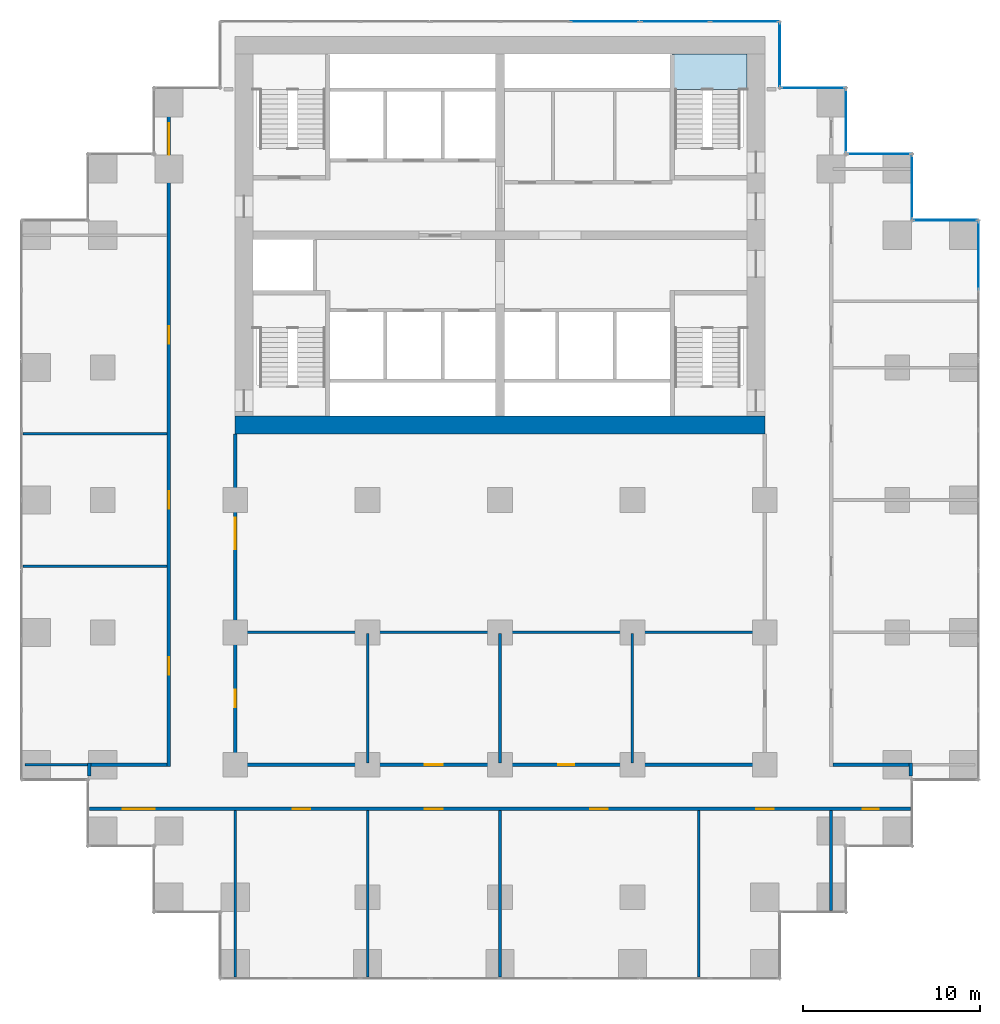
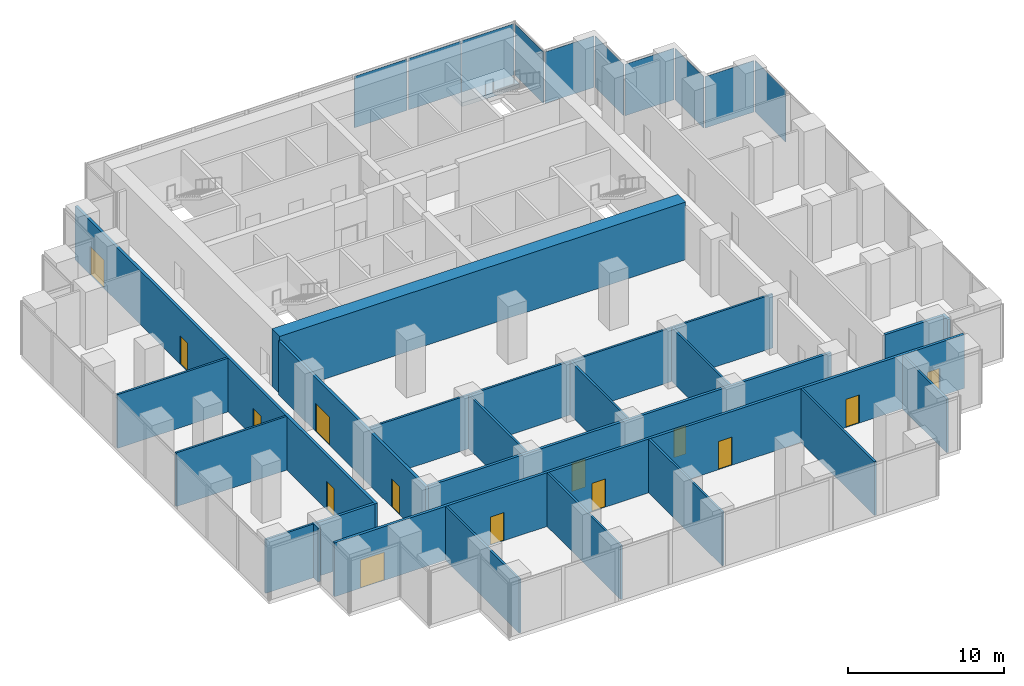
# One storey, part 7 of 10: 21 walls, 14 doors, 10 plates, 1 slab, 14 openings, 10 elements without a shape of their own.
"""IFC4 building model written with IfcOpenShell, lengths in metres."""

from ifc_helpers import new_model, si_unit, direction, frame, frame_2d, origin, origin_2d, place, context, subcontext, project, spatial, polyline, rectangle, outline, extrude, material, layer, layer_set, type_object, element, fill, aggregate, save


model = new_model("IFC4")

# Units and contexts
model_context = context("Model", 3, precision=1e-05, world=origin(), true_north=direction((0.0, 1.0)))
body_context = subcontext(model_context, "Body", "Model", "MODEL_VIEW")
ifc_project = project(units=[si_unit("LENGTHUNIT", "METRE"), si_unit("AREAUNIT", "SQUARE_METRE"), si_unit("VOLUMEUNIT", "CUBIC_METRE"), si_unit("PLANEANGLEUNIT", "RADIAN"), si_unit("MASSUNIT", "GRAM", prefix="KILO")], contexts=[model_context])

# Site, building, storey
site_placement = place(None, origin())
site = spatial("IfcSite", under=ifc_project, at=site_placement, CompositionType="ELEMENT")
building_placement = place(site_placement, origin())
building = spatial("IfcBuilding", under=site, at=building_placement, Name="Pilkhan Gate Tower", CompositionType="ELEMENT")
storey_placement = place(building_placement, frame((0.0, 0.0, 35.0)))
storey = spatial("IfcBuildingStorey", under=building, at=storey_placement, Name="L05", CompositionType="ELEMENT", Elevation=35.0)

# Curtain wall, plate
ifc_material_1 = material(Name="Pale anodised aluminium, clear low-iron double glazing", Category="aluminium")
curtain_wall_type = type_object("IfcCurtainWallType", Name="Hotel unitised curtain wall CW-H", PredefinedType="USERDEFINED", material=ifc_material_1)
curtain_wall_1_placement = place(storey_placement, origin())
curtain_wall_1 = element("IfcCurtainWall", 1, at=curtain_wall_1_placement, inside=storey, type_object=curtain_wall_type, Name="Hotel unitised curtain wall CW-H L05 E", ObjectType="UNITISED CURTAIN WALL", PredefinedType="USERDEFINED")
ifc_material_2 = material(Name="Clear low-iron double glazing", Category="glass")
ifc_layer_1 = layer(ifc_material_2, 0.035888671875)
ifc_layer_set_1 = layer_set([ifc_layer_1], Name="Glass panel CW-H 36")
plate_type = type_object("IfcPlateType", Name="Glass panel CW-H 36", PredefinedType="CURTAIN_PANEL", material=ifc_layer_set_1)
plate_1_placement = place(storey_placement, frame((102.094970703125, 81.34814453125, 0.0), z_axis=(0.0, 0.0, 1.0), x_axis=(0.0, 1.0, 0.0)))
plate_1 = element("IfcPlate", 2, at=plate_1_placement, type_object=plate_type, Name="CW-H panel 2", PredefinedType="CURTAIN_PANEL", context=body_context, shape_type="SweptSolid", body=[
    extrude(rectangle(XDim=3.86376953125, YDim=0.035888671875, at=origin_2d()), origin(), (0.0, 0.0, 1.0), 4.02001953125),
])
aggregate(curtain_wall_1, [plate_1])

curtain_wall_2_placement = place(storey_placement, origin())
curtain_wall_2 = element("IfcCurtainWall", 3, at=curtain_wall_2_placement, inside=storey, type_object=curtain_wall_type, Name="Hotel unitised curtain wall CW-H L05 N", ObjectType="UNITISED CURTAIN WALL", PredefinedType="USERDEFINED")
plate_2_placement = place(storey_placement, frame((100.219970703125, 83.344970703125, 0.0), z_axis=(0.0, 0.0, 1.0), x_axis=(1.0, 0.0, 0.0)))
plate_2 = element("IfcPlate", 4, at=plate_2_placement, type_object=plate_type, Name="CW-H panel 1", PredefinedType="CURTAIN_PANEL", context=body_context, shape_type="SweptSolid", body=[
    extrude(rectangle(XDim=3.6201171875, YDim=0.035888671875, at=origin_2d()), origin(), (0.0, 0.0, 1.0), 4.02001953125),
])
aggregate(curtain_wall_2, [plate_2])

curtain_wall_3_placement = place(storey_placement, origin())
curtain_wall_3 = element("IfcCurtainWall", 5, at=curtain_wall_3_placement, inside=storey, type_object=curtain_wall_type, Name="Hotel unitised curtain wall CW-H L05 E", ObjectType="UNITISED CURTAIN WALL", PredefinedType="USERDEFINED")
plate_3_placement = place(storey_placement, frame((98.344970703125, 85.219970703125, 0.0), z_axis=(0.0, 0.0, 1.0), x_axis=(0.0, 1.0, 0.0)))
plate_3 = element("IfcPlate", 6, at=plate_3_placement, type_object=plate_type, Name="CW-H panel 1", PredefinedType="CURTAIN_PANEL", context=body_context, shape_type="SweptSolid", body=[
    extrude(rectangle(XDim=3.6201171875, YDim=0.035888671875, at=origin_2d()), origin(), (0.0, 0.0, 1.0), 4.02001953125),
])
aggregate(curtain_wall_3, [plate_3])

curtain_wall_4_placement = place(storey_placement, origin())
curtain_wall_4 = element("IfcCurtainWall", 7, at=curtain_wall_4_placement, inside=storey, type_object=curtain_wall_type, Name="Hotel unitised curtain wall CW-H L05 N", ObjectType="UNITISED CURTAIN WALL", PredefinedType="USERDEFINED")
plate_4_placement = place(storey_placement, frame((96.469970703125, 87.094970703125, 0.0), z_axis=(0.0, 0.0, 1.0), x_axis=(1.0, 0.0, 0.0)))
plate_4 = element("IfcPlate", 8, at=plate_4_placement, type_object=plate_type, Name="CW-H panel 1", PredefinedType="CURTAIN_PANEL", context=body_context, shape_type="SweptSolid", body=[
    extrude(rectangle(XDim=3.6201171875, YDim=0.035888671875, at=origin_2d()), origin(), (0.0, 0.0, 1.0), 4.02001953125),
])
aggregate(curtain_wall_4, [plate_4])

curtain_wall_5_placement = place(storey_placement, origin())
curtain_wall_5 = element("IfcCurtainWall", 9, at=curtain_wall_5_placement, inside=storey, type_object=curtain_wall_type, Name="Hotel unitised curtain wall CW-H L05 E", ObjectType="UNITISED CURTAIN WALL", PredefinedType="USERDEFINED")
plate_5_placement = place(storey_placement, frame((94.594970703125, 88.969970703125, 0.0), z_axis=(0.0, 0.0, 1.0), x_axis=(0.0, 1.0, 0.0)))
plate_5 = element("IfcPlate", 10, at=plate_5_placement, type_object=plate_type, Name="CW-H panel 1", PredefinedType="CURTAIN_PANEL", context=body_context, shape_type="SweptSolid", body=[
    extrude(rectangle(XDim=3.6201171875, YDim=0.035888671875, at=origin_2d()), origin(), (0.0, 0.0, 1.0), 4.02001953125),
])
aggregate(curtain_wall_5, [plate_5])

curtain_wall_6_placement = place(storey_placement, origin())
curtain_wall_6 = element("IfcCurtainWall", 11, at=curtain_wall_6_placement, inside=storey, type_object=curtain_wall_type, Name="Hotel unitised curtain wall CW-H L05 N", ObjectType="UNITISED CURTAIN WALL", PredefinedType="USERDEFINED")
plate_6_placement = place(storey_placement, frame((92.719970703125, 90.844970703125, 0.0), z_axis=(0.0, 0.0, 1.0), x_axis=(1.0, 0.0, 0.0)))
plate_6 = element("IfcPlate", 12, at=plate_6_placement, type_object=plate_type, Name="CW-H panel 1", PredefinedType="CURTAIN_PANEL", context=body_context, shape_type="SweptSolid", body=[
    extrude(rectangle(XDim=3.6201171875, YDim=0.035888671875, at=origin_2d()), origin(), (0.0, 0.0, 1.0), 4.02001953125),
])
aggregate(curtain_wall_6, [plate_6])

curtain_wall_7_placement = place(storey_placement, origin())
curtain_wall_7 = element("IfcCurtainWall", 13, at=curtain_wall_7_placement, inside=storey, type_object=curtain_wall_type, Name="Hotel unitised curtain wall CW-H L05 E", ObjectType="UNITISED CURTAIN WALL", PredefinedType="USERDEFINED")
plate_7_placement = place(storey_placement, frame((90.844970703125, 92.719970703125, 0.0), z_axis=(0.0, 0.0, 1.0), x_axis=(0.0, 1.0, 0.0)))
plate_7 = element("IfcPlate", 14, at=plate_7_placement, type_object=plate_type, Name="CW-H panel 1", PredefinedType="CURTAIN_PANEL", context=body_context, shape_type="SweptSolid", body=[
    extrude(rectangle(XDim=3.6201171875, YDim=0.035888671875, at=origin_2d()), origin(), (0.0, 0.0, 1.0), 4.02001953125),
])
aggregate(curtain_wall_7, [plate_7])

curtain_wall_8_placement = place(storey_placement, origin())
curtain_wall_8 = element("IfcCurtainWall", 15, at=curtain_wall_8_placement, inside=storey, type_object=curtain_wall_type, Name="Hotel unitised curtain wall CW-H L05 N", ObjectType="UNITISED CURTAIN WALL", PredefinedType="USERDEFINED")
plate_8_placement = place(storey_placement, frame((80.925537109375, 94.594970703125, 0.0), z_axis=(0.0, 0.0, 1.0), x_axis=(1.0, 0.0, 0.0)))
plate_8 = element("IfcPlate", 16, at=plate_8_placement, type_object=plate_type, Name="CW-H panel 3", PredefinedType="CURTAIN_PANEL", context=body_context, shape_type="SweptSolid", body=[
    extrude(rectangle(XDim=3.86376953125, YDim=0.035888671875, at=origin_2d()), origin(), (0.0, 0.0, 1.0), 4.02001953125),
])
aggregate(curtain_wall_8, [plate_8])

# Curtain wall, plates
curtain_wall_9_placement = place(storey_placement, origin())
curtain_wall_9 = element("IfcCurtainWall", 17, at=curtain_wall_9_placement, inside=storey, type_object=curtain_wall_type, Name="Hotel unitised curtain wall CW-H L05 N", ObjectType="UNITISED CURTAIN WALL", PredefinedType="USERDEFINED")
plate_9_placement = place(storey_placement, frame((84.91943359375, 94.594970703125, 0.0), z_axis=(0.0, 0.0, 1.0), x_axis=(1.0, 0.0, 0.0)))
plate_9 = element("IfcPlate", 18, at=plate_9_placement, type_object=plate_type, Name="CW-H panel 1", PredefinedType="CURTAIN_PANEL", context=body_context, shape_type="SweptSolid", body=[
    extrude(rectangle(XDim=3.86376953125, YDim=0.035888671875, at=origin_2d()), origin(), (0.0, 0.0, 1.0), 4.02001953125),
])
plate_10_placement = place(storey_placement, frame((88.84814453125, 94.594970703125, 0.0), z_axis=(0.0, 0.0, 1.0), x_axis=(1.0, 0.0, 0.0)))
plate_10 = element("IfcPlate", 19, at=plate_10_placement, type_object=plate_type, Name="CW-H panel 2", PredefinedType="CURTAIN_PANEL", context=body_context, shape_type="SweptSolid", body=[
    extrude(rectangle(XDim=3.86376953125, YDim=0.035888671875, at=origin_2d()), origin(), (0.0, 0.0, 1.0), 4.02001953125),
])
aggregate(curtain_wall_9, [plate_9, plate_10])

# Stair, slab
ifc_material_3 = material(Name="Concrete C40/50 precast", Category="concrete")
stair_type = type_object("IfcStairType", Name="Stair ST4 173x280", PredefinedType="HALF_TURN_STAIR", material=ifc_material_3)
stair_placement = place(storey_placement, origin())
stair = element("IfcStair", 20, at=stair_placement, inside=storey, type_object=stair_type, Name="Stair ST4 L05", PredefinedType="HALF_TURN_STAIR")
ifc_material_4 = material(Name="Concrete C40/50", Category="concrete")
ifc_layer_2 = layer(ifc_material_4, 0.199951171875)
ifc_layer_set_2 = layer_set([ifc_layer_2], Name="Stair landing SL200")
slab_type = type_object("IfcSlabType", Name="Stair landing SL200", PredefinedType="LANDING", material=ifc_layer_set_2)
slab_placement = place(storey_placement, frame((0.0, 0.0, 1.949951171875)))
slab = element("IfcSlab", 21, at=slab_placement, type_object=slab_type, Name="ST4 landing 1", PredefinedType="LANDING", context=body_context, shape_type="SweptSolid", body=[
    extrude(outline(polyline([(89.0, 90.760009765625), (89.0, 92.75), (84.75, 92.75), (84.75, 90.760009765625), (89.0, 90.760009765625)])), origin(), (0.0, 0.0, 1.0), 0.300048828125),
])
aggregate(stair, [slab])

# Wall
ifc_material_5 = material(Name="Concrete C70/85", Category="concrete")
ifc_layer_3 = layer(ifc_material_5, 1.0)
ifc_layer_set_3 = layer_set([ifc_layer_3], Name="Core wall CW1000 C70/85")
wall_type_1 = type_object("IfcWallType", Name="Core wall CW1000 C70/85", PredefinedType="SHEAR", material=ifc_layer_set_3)
wall_1_placement = place(storey_placement, frame((60.0, 71.75, 0.0), z_axis=(0.0, 0.0, 1.0), x_axis=(1.0, 0.0, 0.0)))
element("IfcWall", 22, at=wall_1_placement, inside=storey, type_object=wall_type_1, Name="Core wall S L05", PredefinedType="SHEAR", context=body_context, shape_type="SweptSolid", body=[
    extrude(rectangle(XDim=30.0, YDim=1.0, at=frame_2d((15.0, 0.0))), origin(), (0.0, 0.0, 1.0), 4.5),
])

# Wall, openings, doors
ifc_material_6 = material(Name="Dense blockwork", Category="masonry")
ifc_layer_4 = layer(ifc_material_6, 0.199951171875)
ifc_layer_set_4 = layer_set([ifc_layer_4], Name="Corridor wall FW200")
wall_type_2 = type_object("IfcWallType", Name="Corridor wall FW200", PredefinedType="PARTITIONING", material=ifc_layer_set_4)
wall_2_placement = place(storey_placement, frame((51.735107421875, 50.0, 0.0), z_axis=(0.0, 0.0, 1.0), x_axis=(1.0, 0.0, 0.0)))
wall_2 = element("IfcWall", 23, at=wall_2_placement, inside=storey, type_object=wall_type_2, Name="Partition L05", PredefinedType="PARTITIONING", context=body_context, shape_type="SweptSolid", body=[
    extrude(rectangle(XDim=46.52978515625, YDim=0.199951171875, at=frame_2d((23.264892578125, 0.0))), origin(), (0.0, 0.0, 1.0), 4.199951171875),
])
opening_1_placement = place(wall_2_placement, frame((1.89990234375, 0.0, 0.0)))
opening_1 = element("IfcOpeningElement", 24, at=opening_1_placement, cuts=wall_2, Name="Opening L05-12", PredefinedType="OPENING", context=body_context, shape_type="SweptSolid", body=[
    extrude(rectangle(XDim=1.800048828125, YDim=2.199951171875, at=frame_2d((0.89990234375, 1.10009765625))), frame((0.0, 0.10986328125, 0.0), z_axis=(0.0, -1.0, 0.0), x_axis=(1.0, 0.0, 0.0)), (0.0, 0.0, 1.0), 0.219970703125),
])
opening_2_placement = place(wall_2_placement, frame((11.514892578125, 0.0, 0.0)))
opening_2 = element("IfcOpeningElement", 25, at=opening_2_placement, cuts=wall_2, Name="Opening L05-13", PredefinedType="OPENING", context=body_context, shape_type="SweptSolid", body=[
    extrude(rectangle(XDim=1.0, YDim=2.199951171875, at=frame_2d((0.5, 1.10009765625))), frame((0.0, 0.10986328125, 0.0), z_axis=(0.0, -1.0, 0.0), x_axis=(1.0, 0.0, 0.0)), (0.0, 0.0, 1.0), 0.219970703125),
])
opening_3_placement = place(wall_2_placement, frame((19.014892578125, 0.0, 0.0)))
opening_3 = element("IfcOpeningElement", 26, at=opening_3_placement, cuts=wall_2, Name="Opening L05-14", PredefinedType="OPENING", context=body_context, shape_type="SweptSolid", body=[
    extrude(rectangle(XDim=1.0, YDim=2.199951171875, at=frame_2d((0.5, 1.10009765625))), frame((0.0, 0.10986328125, 0.0), z_axis=(0.0, -1.0, 0.0), x_axis=(1.0, 0.0, 0.0)), (0.0, 0.0, 1.0), 0.219970703125),
])
opening_4_placement = place(wall_2_placement, frame((28.364990234375, 0.0, 0.0)))
opening_4 = element("IfcOpeningElement", 27, at=opening_4_placement, cuts=wall_2, Name="Opening L05-15", PredefinedType="OPENING", context=body_context, shape_type="SweptSolid", body=[
    extrude(rectangle(XDim=1.0, YDim=2.199951171875, at=frame_2d((0.5, 1.10009765625))), frame((0.0, 0.10986328125, 0.0), z_axis=(0.0, -1.0, 0.0), x_axis=(1.0, 0.0, 0.0)), (0.0, 0.0, 1.0), 0.219970703125),
])
opening_5_placement = place(wall_2_placement, frame((37.764892578125, 0.0, 0.0)))
opening_5 = element("IfcOpeningElement", 28, at=opening_5_placement, cuts=wall_2, Name="Opening L05-16", PredefinedType="OPENING", context=body_context, shape_type="SweptSolid", body=[
    extrude(rectangle(XDim=1.0, YDim=2.199951171875, at=frame_2d((0.5, 1.10009765625))), frame((0.0, 0.10986328125, 0.0), z_axis=(0.0, -1.0, 0.0), x_axis=(1.0, 0.0, 0.0)), (0.0, 0.0, 1.0), 0.219970703125),
])
opening_6_placement = place(wall_2_placement, frame((43.81494140625, 0.0, 0.0)))
opening_6 = element("IfcOpeningElement", 29, at=opening_6_placement, cuts=wall_2, Name="Opening L05-17", PredefinedType="OPENING", context=body_context, shape_type="SweptSolid", body=[
    extrude(rectangle(XDim=0.89990234375, YDim=2.199951171875, at=frame_2d((0.449951171875, 1.10009765625))), frame((0.0, 0.10986328125, 0.0), z_axis=(0.0, -1.0, 0.0), x_axis=(1.0, 0.0, 0.0)), (0.0, 0.0, 1.0), 0.219970703125),
])
ifc_material_7 = material(Name="Timber glazed double door, 30 minute fire resisting", Category="wood")
door_type_1 = type_object("IfcDoorType", Name="Double door D04 1800x2200", OperationType="DOUBLE_DOOR_SINGLE_SWING", PredefinedType="DOOR", material=ifc_material_7)
door_1_placement = place(opening_1_placement, origin())
door_1 = element("IfcDoor", 30, at=door_1_placement, inside=storey, type_object=door_type_1, Name="Double door", OperationType="DOUBLE_DOOR_SINGLE_SWING", OverallHeight=2.199951171875, OverallWidth=1.800048828125, PredefinedType="DOOR", context=body_context, shape_type="SweptSolid", body=[
    extrude(rectangle(XDim=1.800048828125, YDim=2.199951171875, at=frame_2d((0.89990234375, 1.10009765625))), frame((0.0, 0.02490234375, 0.0), z_axis=(0.0, -1.0, 0.0), x_axis=(1.0, 0.0, 0.0)), (0.0, 0.0, 1.0), 0.050048828125),
])
fill(opening_1, door_1)
ifc_material_8 = material(Name="Timber flush door, 30 minute fire resisting", Category="wood")
door_type_2 = type_object("IfcDoorType", Name="Room door D03 1000x2200", OperationType="SINGLE_SWING_LEFT", PredefinedType="DOOR", material=ifc_material_8)
door_2_placement = place(opening_2_placement, origin())
door_2 = element("IfcDoor", 31, at=door_2_placement, inside=storey, type_object=door_type_2, Name="Room door", OperationType="SINGLE_SWING_RIGHT", OverallHeight=2.199951171875, OverallWidth=1.0, PredefinedType="DOOR", context=body_context, shape_type="SweptSolid", body=[
    extrude(rectangle(XDim=1.0, YDim=2.199951171875, at=frame_2d((0.5, 1.10009765625))), frame((0.0, 0.02490234375, 0.0), z_axis=(0.0, -1.0, 0.0), x_axis=(1.0, 0.0, 0.0)), (0.0, 0.0, 1.0), 0.050048828125),
])
fill(opening_2, door_2)
door_3_placement = place(opening_3_placement, origin())
door_3 = element("IfcDoor", 32, at=door_3_placement, inside=storey, type_object=door_type_2, Name="Room door", OperationType="SINGLE_SWING_RIGHT", OverallHeight=2.199951171875, OverallWidth=1.0, PredefinedType="DOOR", context=body_context, shape_type="SweptSolid", body=[
    extrude(rectangle(XDim=1.0, YDim=2.199951171875, at=frame_2d((0.5, 1.10009765625))), frame((0.0, 0.02490234375, 0.0), z_axis=(0.0, -1.0, 0.0), x_axis=(1.0, 0.0, 0.0)), (0.0, 0.0, 1.0), 0.050048828125),
])
fill(opening_3, door_3)
door_4_placement = place(opening_4_placement, origin())
door_4 = element("IfcDoor", 33, at=door_4_placement, inside=storey, type_object=door_type_2, Name="Room door", OperationType="SINGLE_SWING_LEFT", OverallHeight=2.199951171875, OverallWidth=1.0, PredefinedType="DOOR", context=body_context, shape_type="SweptSolid", body=[
    extrude(rectangle(XDim=1.0, YDim=2.199951171875, at=frame_2d((0.5, 1.10009765625))), frame((0.0, 0.02490234375, 0.0), z_axis=(0.0, -1.0, 0.0), x_axis=(1.0, 0.0, 0.0)), (0.0, 0.0, 1.0), 0.050048828125),
])
fill(opening_4, door_4)
door_5_placement = place(opening_5_placement, origin())
door_5 = element("IfcDoor", 34, at=door_5_placement, inside=storey, type_object=door_type_2, Name="Room door", OperationType="SINGLE_SWING_RIGHT", OverallHeight=2.199951171875, OverallWidth=1.0, PredefinedType="DOOR", context=body_context, shape_type="SweptSolid", body=[
    extrude(rectangle(XDim=1.0, YDim=2.199951171875, at=frame_2d((0.5, 1.10009765625))), frame((0.0, 0.02490234375, 0.0), z_axis=(0.0, -1.0, 0.0), x_axis=(1.0, 0.0, 0.0)), (0.0, 0.0, 1.0), 0.050048828125),
])
fill(opening_5, door_5)
ifc_material_9 = material(Name="Timber flush door, 60 minute fire resisting, self-closing", Category="wood")
door_type_3 = type_object("IfcDoorType", Name="Store door D05 900x2200", OperationType="SINGLE_SWING_LEFT", PredefinedType="DOOR", material=ifc_material_9)
door_6_placement = place(opening_6_placement, origin())
door_6 = element("IfcDoor", 35, at=door_6_placement, inside=storey, type_object=door_type_3, Name="Store door", OperationType="SINGLE_SWING_RIGHT", OverallHeight=2.199951171875, OverallWidth=0.89990234375, PredefinedType="DOOR", context=body_context, shape_type="SweptSolid", body=[
    extrude(rectangle(XDim=0.89990234375, YDim=2.199951171875, at=frame_2d((0.449951171875, 1.10009765625))), frame((0.0, 0.02490234375, 0.0), z_axis=(0.0, -1.0, 0.0), x_axis=(1.0, 0.0, 0.0)), (0.0, 0.0, 1.0), 0.050048828125),
])
fill(opening_6, door_6)

# Wall
wall_3_placement = place(storey_placement, frame((51.8349609375, 52.5, 0.0), z_axis=(0.0, 0.0, 1.0), x_axis=(1.0, 0.0, 0.0)))
element("IfcWall", 36, at=wall_3_placement, inside=storey, type_object=wall_type_2, Name="Partition L05", PredefinedType="PARTITIONING", context=body_context, shape_type="SweptSolid", body=[
    extrude(rectangle(XDim=4.31494140625, YDim=0.199951171875, at=frame_2d((2.157470703125, 0.0))), origin(), (0.0, 0.0, 1.0), 4.199951171875),
])

# Wall, openings, doors
wall_4_placement = place(storey_placement, frame((60.10009765625, 52.5, 0.0), z_axis=(0.0, 0.0, 1.0), x_axis=(1.0, 0.0, 0.0)))
wall_4 = element("IfcWall", 37, at=wall_4_placement, inside=storey, type_object=wall_type_2, Name="Partition L05", PredefinedType="PARTITIONING", context=body_context, shape_type="SweptSolid", body=[
    extrude(rectangle(XDim=29.7998046875, YDim=0.199951171875, at=frame_2d((14.89990234375, 0.0))), origin(), (0.0, 0.0, 1.0), 4.199951171875),
])
opening_7_placement = place(wall_4_placement, frame((10.64990234375, 0.0, 0.0)))
opening_7 = element("IfcOpeningElement", 38, at=opening_7_placement, cuts=wall_4, Name="Opening L05-30", PredefinedType="OPENING", context=body_context, shape_type="SweptSolid", body=[
    extrude(rectangle(XDim=1.0, YDim=2.199951171875, at=frame_2d((0.5, 1.10009765625))), frame((0.0, 0.10986328125, 0.0), z_axis=(0.0, -1.0, 0.0), x_axis=(1.0, 0.0, 0.0)), (0.0, 0.0, 1.0), 0.219970703125),
])
opening_8_placement = place(wall_4_placement, frame((18.199951171875, 0.0, 0.0)))
opening_8 = element("IfcOpeningElement", 39, at=opening_8_placement, cuts=wall_4, Name="Opening L05-31", PredefinedType="OPENING", context=body_context, shape_type="SweptSolid", body=[
    extrude(rectangle(XDim=0.89990234375, YDim=2.199951171875, at=frame_2d((0.449951171875, 1.10009765625))), frame((0.0, 0.10986328125, 0.0), z_axis=(0.0, -1.0, 0.0), x_axis=(1.0, 0.0, 0.0)), (0.0, 0.0, 1.0), 0.219970703125),
])
door_7_placement = place(opening_7_placement, origin())
door_7 = element("IfcDoor", 40, at=door_7_placement, inside=storey, type_object=door_type_2, Name="Room door", OperationType="SINGLE_SWING_RIGHT", OverallHeight=2.199951171875, OverallWidth=1.0, PredefinedType="DOOR", context=body_context, shape_type="SweptSolid", body=[
    extrude(rectangle(XDim=1.0, YDim=2.199951171875, at=frame_2d((0.5, 1.10009765625))), frame((0.0, 0.02490234375, 0.0), z_axis=(0.0, -1.0, 0.0), x_axis=(1.0, 0.0, 0.0)), (0.0, 0.0, 1.0), 0.050048828125),
])
fill(opening_7, door_7)
door_type_4 = type_object("IfcDoorType", Name="Toilet door D06 900x2200", OperationType="SINGLE_SWING_LEFT", PredefinedType="DOOR", material=ifc_material_8)
door_8_placement = place(opening_8_placement, origin())
door_8 = element("IfcDoor", 41, at=door_8_placement, inside=storey, type_object=door_type_4, Name="Toilet door", OperationType="SINGLE_SWING_LEFT", OverallHeight=2.199951171875, OverallWidth=0.89990234375, PredefinedType="DOOR", context=body_context, shape_type="SweptSolid", body=[
    extrude(rectangle(XDim=0.89990234375, YDim=2.199951171875, at=frame_2d((0.449951171875, 1.10009765625))), frame((0.0, 0.02490234375, 0.0), z_axis=(0.0, -1.0, 0.0), x_axis=(1.0, 0.0, 0.0)), (0.0, 0.0, 1.0), 0.050048828125),
])
fill(opening_8, door_8)

# Walls
wall_5_placement = place(storey_placement, frame((93.85009765625, 52.5, 0.0), z_axis=(0.0, 0.0, 1.0), x_axis=(1.0, 0.0, 0.0)))
element("IfcWall", 42, at=wall_5_placement, inside=storey, type_object=wall_type_2, Name="Partition L05", PredefinedType="PARTITIONING", context=body_context, shape_type="SweptSolid", body=[
    extrude(rectangle(XDim=4.31494140625, YDim=0.199951171875, at=frame_2d((2.157470703125, 0.0))), origin(), (0.0, 0.0, 1.0), 4.199951171875),
])
wall_6_placement = place(storey_placement, frame((51.735107421875, 51.85498046875, 0.0), z_axis=(0.0, 0.0, 1.0), x_axis=(0.0, 1.0, 0.0)))
element("IfcWall", 43, at=wall_6_placement, inside=storey, type_object=wall_type_2, Name="Partition L05", PredefinedType="PARTITIONING", context=body_context, shape_type="SweptSolid", body=[
    extrude(rectangle(XDim=0.7451171875, YDim=0.199951171875, at=frame_2d((0.37255859375, 0.0))), origin(), (0.0, 0.0, 1.0), 4.199951171875),
])

# Wall, openings, doors
wall_7_placement = place(storey_placement, frame((56.25, 52.39990234375, 0.0), z_axis=(0.0, 0.0, 1.0), x_axis=(0.0, 1.0, 0.0)))
wall_7 = element("IfcWall", 44, at=wall_7_placement, inside=storey, type_object=wall_type_2, Name="Partition L05", PredefinedType="PARTITIONING", context=body_context, shape_type="SweptSolid", body=[
    extrude(rectangle(XDim=38.364990234375, YDim=0.199951171875, at=frame_2d((19.1826171875, 0.0))), origin(), (0.0, 0.0, 1.0), 4.199951171875),
])
opening_9_placement = place(wall_7_placement, frame((5.199951171875, 0.0, 0.0)))
opening_9 = element("IfcOpeningElement", 45, at=opening_9_placement, cuts=wall_7, Name="Opening L05-18", PredefinedType="OPENING", context=body_context, shape_type="SweptSolid", body=[
    extrude(rectangle(XDim=1.0, YDim=2.199951171875, at=frame_2d((0.5, 1.10009765625))), frame((0.0, 0.10986328125, 0.0), z_axis=(0.0, -1.0, 0.0), x_axis=(1.0, 0.0, 0.0)), (0.0, 0.0, 1.0), 0.219970703125),
])
opening_10_placement = place(wall_7_placement, frame((14.60009765625, 0.0, 0.0)))
opening_10 = element("IfcOpeningElement", 46, at=opening_10_placement, cuts=wall_7, Name="Opening L05-19", PredefinedType="OPENING", context=body_context, shape_type="SweptSolid", body=[
    extrude(rectangle(XDim=1.0, YDim=2.199951171875, at=frame_2d((0.5, 1.10009765625))), frame((0.0, 0.10986328125, 0.0), z_axis=(0.0, -1.0, 0.0), x_axis=(1.0, 0.0, 0.0)), (0.0, 0.0, 1.0), 0.219970703125),
])
opening_11_placement = place(wall_7_placement, frame((23.949951171875, 0.0, 0.0)))
opening_11 = element("IfcOpeningElement", 47, at=opening_11_placement, cuts=wall_7, Name="Opening L05-20", PredefinedType="OPENING", context=body_context, shape_type="SweptSolid", body=[
    extrude(rectangle(XDim=1.0, YDim=2.199951171875, at=frame_2d((0.5, 1.10009765625))), frame((0.0, 0.10986328125, 0.0), z_axis=(0.0, -1.0, 0.0), x_axis=(1.0, 0.0, 0.0)), (0.0, 0.0, 1.0), 0.219970703125),
])
opening_12_placement = place(wall_7_placement, frame((34.64990234375, 0.0, 0.0)))
opening_12 = element("IfcOpeningElement", 48, at=opening_12_placement, cuts=wall_7, Name="Opening L05-21", PredefinedType="OPENING", context=body_context, shape_type="SweptSolid", body=[
    extrude(rectangle(XDim=1.800048828125, YDim=2.199951171875, at=frame_2d((0.89990234375, 1.10009765625))), frame((0.0, 0.10986328125, 0.0), z_axis=(0.0, -1.0, 0.0), x_axis=(1.0, 0.0, 0.0)), (0.0, 0.0, 1.0), 0.219970703125),
])
door_9_placement = place(opening_12_placement, origin())
door_9 = element("IfcDoor", 49, at=door_9_placement, inside=storey, type_object=door_type_1, Name="Double door", OperationType="DOUBLE_DOOR_SINGLE_SWING", OverallHeight=2.199951171875, OverallWidth=1.800048828125, PredefinedType="DOOR", context=body_context, shape_type="SweptSolid", body=[
    extrude(rectangle(XDim=1.800048828125, YDim=2.199951171875, at=frame_2d((0.89990234375, 1.10009765625))), frame((0.0, 0.02490234375, 0.0), z_axis=(0.0, -1.0, 0.0), x_axis=(1.0, 0.0, 0.0)), (0.0, 0.0, 1.0), 0.050048828125),
])
fill(opening_12, door_9)
door_10_placement = place(opening_9_placement, origin())
door_10 = element("IfcDoor", 50, at=door_10_placement, inside=storey, type_object=door_type_2, Name="Room door", OperationType="SINGLE_SWING_RIGHT", OverallHeight=2.199951171875, OverallWidth=1.0, PredefinedType="DOOR", context=body_context, shape_type="SweptSolid", body=[
    extrude(rectangle(XDim=1.0, YDim=2.199951171875, at=frame_2d((0.5, 1.10009765625))), frame((0.0, 0.02490234375, 0.0), z_axis=(0.0, -1.0, 0.0), x_axis=(1.0, 0.0, 0.0)), (0.0, 0.0, 1.0), 0.050048828125),
])
fill(opening_9, door_10)
door_11_placement = place(opening_10_placement, origin())
door_11 = element("IfcDoor", 51, at=door_11_placement, inside=storey, type_object=door_type_2, Name="Room door", OperationType="SINGLE_SWING_LEFT", OverallHeight=2.199951171875, OverallWidth=1.0, PredefinedType="DOOR", context=body_context, shape_type="SweptSolid", body=[
    extrude(rectangle(XDim=1.0, YDim=2.199951171875, at=frame_2d((0.5, 1.10009765625))), frame((0.0, 0.02490234375, 0.0), z_axis=(0.0, -1.0, 0.0), x_axis=(1.0, 0.0, 0.0)), (0.0, 0.0, 1.0), 0.050048828125),
])
fill(opening_10, door_11)
door_12_placement = place(opening_11_placement, origin())
door_12 = element("IfcDoor", 52, at=door_12_placement, inside=storey, type_object=door_type_2, Name="Room door", OperationType="SINGLE_SWING_RIGHT", OverallHeight=2.199951171875, OverallWidth=1.0, PredefinedType="DOOR", context=body_context, shape_type="SweptSolid", body=[
    extrude(rectangle(XDim=1.0, YDim=2.199951171875, at=frame_2d((0.5, 1.10009765625))), frame((0.0, 0.02490234375, 0.0), z_axis=(0.0, -1.0, 0.0), x_axis=(1.0, 0.0, 0.0)), (0.0, 0.0, 1.0), 0.050048828125),
])
fill(opening_11, door_12)

wall_8_placement = place(storey_placement, frame((60.0, 52.39990234375, 0.0), z_axis=(0.0, 0.0, 1.0), x_axis=(0.0, 1.0, 0.0)))
wall_8 = element("IfcWall", 53, at=wall_8_placement, inside=storey, type_object=wall_type_2, Name="Partition L05", PredefinedType="PARTITIONING", context=body_context, shape_type="SweptSolid", body=[
    extrude(rectangle(XDim=18.840087890625, YDim=0.199951171875, at=frame_2d((9.419921875, 0.0))), origin(), (0.0, 0.0, 1.0), 4.199951171875),
])
opening_13_placement = place(wall_8_placement, frame((12.300048828125, 0.0, 0.0)))
opening_13 = element("IfcOpeningElement", 54, at=opening_13_placement, cuts=wall_8, Name="Opening L05-28", PredefinedType="OPENING", context=body_context, shape_type="SweptSolid", body=[
    extrude(rectangle(XDim=1.800048828125, YDim=2.199951171875, at=frame_2d((0.89990234375, 1.10009765625))), frame((0.0, 0.10986328125, 0.0), z_axis=(0.0, -1.0, 0.0), x_axis=(1.0, 0.0, 0.0)), (0.0, 0.0, 1.0), 0.219970703125),
])
opening_14_placement = place(wall_8_placement, frame((3.35009765625, 0.0, 0.0)))
opening_14 = element("IfcOpeningElement", 55, at=opening_14_placement, cuts=wall_8, Name="Opening L05-29", PredefinedType="OPENING", context=body_context, shape_type="SweptSolid", body=[
    extrude(rectangle(XDim=1.0, YDim=2.199951171875, at=frame_2d((0.5, 1.10009765625))), frame((0.0, 0.10986328125, 0.0), z_axis=(0.0, -1.0, 0.0), x_axis=(1.0, 0.0, 0.0)), (0.0, 0.0, 1.0), 0.219970703125),
])
door_13_placement = place(opening_13_placement, origin())
door_13 = element("IfcDoor", 56, at=door_13_placement, inside=storey, type_object=door_type_1, Name="Double door", OperationType="DOUBLE_DOOR_SINGLE_SWING", OverallHeight=2.199951171875, OverallWidth=1.800048828125, PredefinedType="DOOR", context=body_context, shape_type="SweptSolid", body=[
    extrude(rectangle(XDim=1.800048828125, YDim=2.199951171875, at=frame_2d((0.89990234375, 1.10009765625))), frame((0.0, 0.02490234375, 0.0), z_axis=(0.0, -1.0, 0.0), x_axis=(1.0, 0.0, 0.0)), (0.0, 0.0, 1.0), 0.050048828125),
])
fill(opening_13, door_13)
door_14_placement = place(opening_14_placement, origin())
door_14 = element("IfcDoor", 57, at=door_14_placement, inside=storey, type_object=door_type_2, Name="Room door", OperationType="SINGLE_SWING_LEFT", OverallHeight=2.199951171875, OverallWidth=1.0, PredefinedType="DOOR", context=body_context, shape_type="SweptSolid", body=[
    extrude(rectangle(XDim=1.0, YDim=2.199951171875, at=frame_2d((0.5, 1.10009765625))), frame((0.0, 0.02490234375, 0.0), z_axis=(0.0, -1.0, 0.0), x_axis=(1.0, 0.0, 0.0)), (0.0, 0.0, 1.0), 0.050048828125),
])
fill(opening_14, door_14)

# Walls
wall_9_placement = place(storey_placement, frame((98.264892578125, 51.85498046875, 0.0), z_axis=(0.0, 0.0, 1.0), x_axis=(0.0, 1.0, 0.0)))
element("IfcWall", 58, at=wall_9_placement, inside=storey, type_object=wall_type_2, Name="Partition L05", PredefinedType="PARTITIONING", context=body_context, shape_type="SweptSolid", body=[
    extrude(rectangle(XDim=0.7451171875, YDim=0.199951171875, at=frame_2d((0.37255859375, 0.0))), origin(), (0.0, 0.0, 1.0), 4.199951171875),
])
ifc_material_10 = material(Name="Blockwork partition, plastered both sides", Category="masonry")
ifc_layer_5 = layer(ifc_material_10, 0.14990234375)
ifc_layer_set_5 = layer_set([ifc_layer_5], Name="Partition PW150")
wall_type_3 = type_object("IfcWallType", Name="Partition PW150", PredefinedType="PARTITIONING", material=ifc_layer_set_5)
wall_10_placement = place(storey_placement, frame((48.10498046875, 52.5, 0.0), z_axis=(0.0, 0.0, 1.0), x_axis=(1.0, 0.0, 0.0)))
element("IfcWall", 59, at=wall_10_placement, inside=storey, type_object=wall_type_3, Name="Partition L05", PredefinedType="PARTITIONING", context=body_context, shape_type="SweptSolid", body=[
    extrude(rectangle(XDim=3.530029296875, YDim=0.14990234375, at=frame_2d((1.76513671875, 0.0))), origin(), (0.0, 0.0, 1.0), 4.199951171875),
])
wall_11_placement = place(storey_placement, frame((60.10009765625, 60.0, 0.0), z_axis=(0.0, 0.0, 1.0), x_axis=(1.0, 0.0, 0.0)))
element("IfcWall", 60, at=wall_11_placement, inside=storey, type_object=wall_type_3, Name="Partition L05", PredefinedType="PARTITIONING", context=body_context, shape_type="SweptSolid", body=[
    extrude(rectangle(XDim=29.7998046875, YDim=0.14990234375, at=frame_2d((14.89990234375, 0.0))), origin(), (0.0, 0.0, 1.0), 4.199951171875),
])
for number, where, z_axis, x_axis, name in (
    (61, (47.985107421875, 63.75, 0.0), (0.0, 0.0, 1.0), (1.0, 0.0, 0.0), "Partition L05"),
    (62, (47.985107421875, 71.25, 0.0), (0.0, 0.0, 1.0), (1.0, 0.0, 0.0), "Partition L05"),
):
    element("IfcWall", number, at=place(storey_placement, frame(where, z_axis=z_axis, x_axis=x_axis)), inside=storey, type_object=wall_type_3, Name=name, PredefinedType="PARTITIONING", context=body_context, shape_type="SweptSolid", body=[
        extrude(rectangle(XDim=8.164794921875, YDim=0.14990234375, at=frame_2d((4.08251953125, 0.0))), origin(), (0.0, 0.0, 1.0), 4.199951171875),
    ])
for number, where, z_axis, x_axis, name in (
    (63, (60.0, 40.485107421875, 0.0), (0.0, 0.0, 1.0), (0.0, 1.0, 0.0), "Partition L05"),
    (64, (67.5, 40.485107421875, 0.0), (0.0, 0.0, 1.0), (0.0, 1.0, 0.0), "Partition L05"),
):
    element("IfcWall", number, at=place(storey_placement, frame(where, z_axis=z_axis, x_axis=x_axis)), inside=storey, type_object=wall_type_3, Name=name, PredefinedType="PARTITIONING", context=body_context, shape_type="SweptSolid", body=[
        extrude(rectangle(XDim=9.414794921875, YDim=0.14990234375, at=frame_2d((4.70751953125, 0.0))), origin(), (0.0, 0.0, 1.0), 4.199951171875),
    ])
wall_12_placement = place(storey_placement, frame((67.5, 52.60009765625, 0.0), z_axis=(0.0, 0.0, 1.0), x_axis=(0.0, 1.0, 0.0)))
element("IfcWall", 65, at=wall_12_placement, inside=storey, type_object=wall_type_3, Name="Partition L05", PredefinedType="PARTITIONING", context=body_context, shape_type="SweptSolid", body=[
    extrude(rectangle(XDim=7.324951171875, YDim=0.14990234375, at=frame_2d((3.66259765625, 0.0))), origin(), (0.0, 0.0, 1.0), 4.199951171875),
])
wall_13_placement = place(storey_placement, frame((75.0, 40.485107421875, 0.0), z_axis=(0.0, 0.0, 1.0), x_axis=(0.0, 1.0, 0.0)))
element("IfcWall", 66, at=wall_13_placement, inside=storey, type_object=wall_type_3, Name="Partition L05", PredefinedType="PARTITIONING", context=body_context, shape_type="SweptSolid", body=[
    extrude(rectangle(XDim=9.414794921875, YDim=0.14990234375, at=frame_2d((4.70751953125, 0.0))), origin(), (0.0, 0.0, 1.0), 4.199951171875),
])
for number, where, z_axis, x_axis, name in (
    (67, (75.0, 52.60009765625, 0.0), (0.0, 0.0, 1.0), (0.0, 1.0, 0.0), "Partition L05"),
    (68, (82.5, 52.60009765625, 0.0), (0.0, 0.0, 1.0), (0.0, 1.0, 0.0), "Partition L05"),
):
    element("IfcWall", number, at=place(storey_placement, frame(where, z_axis=z_axis, x_axis=x_axis)), inside=storey, type_object=wall_type_3, Name=name, PredefinedType="PARTITIONING", context=body_context, shape_type="SweptSolid", body=[
        extrude(rectangle(XDim=7.324951171875, YDim=0.14990234375, at=frame_2d((3.66259765625, 0.0))), origin(), (0.0, 0.0, 1.0), 4.199951171875),
    ])
wall_14_placement = place(storey_placement, frame((86.25, 40.485107421875, 0.0), z_axis=(0.0, 0.0, 1.0), x_axis=(0.0, 1.0, 0.0)))
element("IfcWall", 69, at=wall_14_placement, inside=storey, type_object=wall_type_3, Name="Partition L05", PredefinedType="PARTITIONING", context=body_context, shape_type="SweptSolid", body=[
    extrude(rectangle(XDim=9.414794921875, YDim=0.14990234375, at=frame_2d((4.70751953125, 0.0))), origin(), (0.0, 0.0, 1.0), 4.199951171875),
])
wall_15_placement = place(storey_placement, frame((93.75, 44.235107421875, 0.0), z_axis=(0.0, 0.0, 1.0), x_axis=(0.0, 1.0, 0.0)))
element("IfcWall", 70, at=wall_15_placement, inside=storey, type_object=wall_type_3, Name="Partition L05", PredefinedType="PARTITIONING", context=body_context, shape_type="SweptSolid", body=[
    extrude(rectangle(XDim=5.664794921875, YDim=0.14990234375, at=frame_2d((2.83251953125, 0.0))), origin(), (0.0, 0.0, 1.0), 4.199951171875),
])

save(model, "model.ifc")
